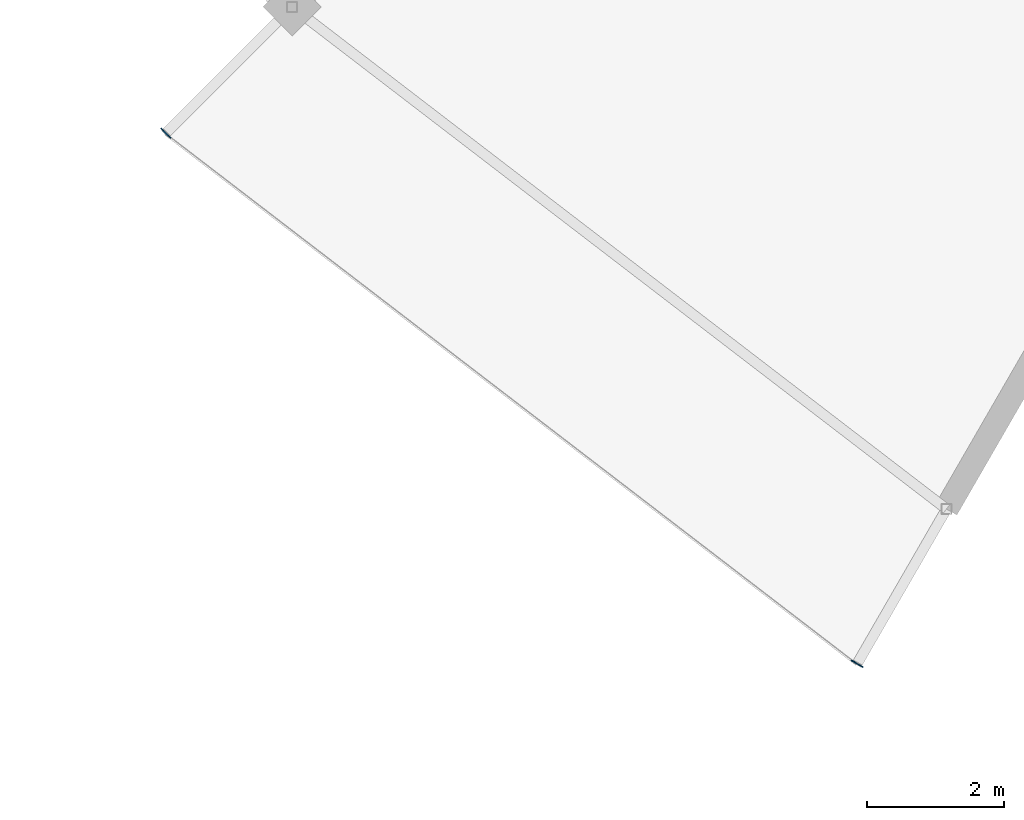
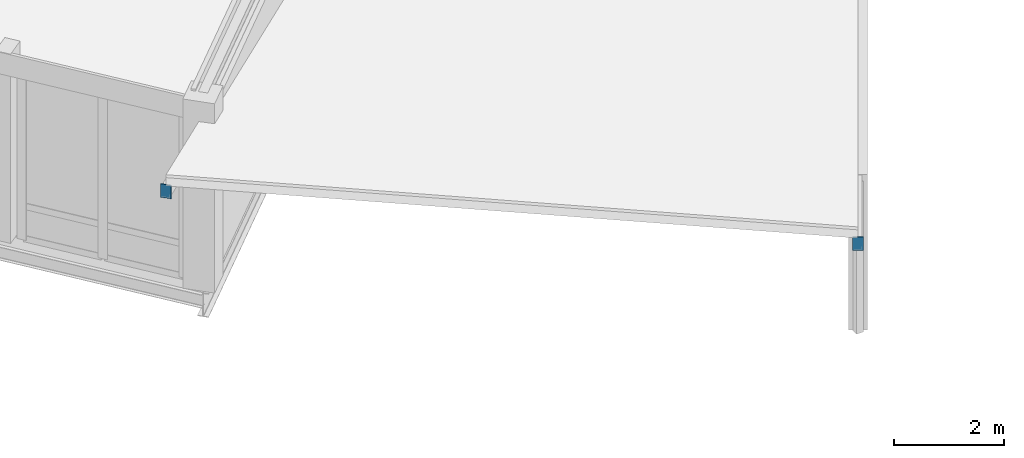
# One storey, part 150 of 200: 2 plates.
"""IFC4 building model written with IfcOpenShell, lengths in metres."""

from ifc_helpers import new_model, si_unit, direction, frame, origin, origin_2d, place, context, subcontext, project, spatial, rectangle, extrude, material, layer, layer_set, type_object, element, save


model = new_model("IFC4")

# Units and contexts
model_context = context("Model", 3, precision=1e-05, world=origin(), true_north=direction((0.0, 1.0)))
body_context = subcontext(model_context, "Body", "Model", "MODEL_VIEW")
ifc_project = project(units=[si_unit("LENGTHUNIT", "METRE"), si_unit("AREAUNIT", "SQUARE_METRE"), si_unit("VOLUMEUNIT", "CUBIC_METRE"), si_unit("PLANEANGLEUNIT", "RADIAN"), si_unit("MASSUNIT", "GRAM", prefix="KILO")], contexts=[model_context])

# Site, building, storey
site_placement = place(None, origin())
site = spatial("IfcSite", under=ifc_project, at=site_placement, CompositionType="ELEMENT")
building_placement = place(site_placement, origin())
building = spatial("IfcBuilding", under=site, at=building_placement, Name="Vondelvale Polytechnic", CompositionType="ELEMENT")
storey_placement = place(building_placement, frame((0.0, 0.0, 13.800048828125)))
storey = spatial("IfcBuildingStorey", under=building, at=storey_placement, Name="L03", CompositionType="ELEMENT", Elevation=13.800048828125)

# Plates
ifc_material = material(Name="Steel Grade 350 (fy = 340 MPa)", Category="steel")
ifc_layer = layer(ifc_material, 0.01611328125)
ifc_layer_set = layer_set([ifc_layer], Name="PLATE-CAP-300x200")
plate_type = type_object("IfcPlateType", Name="PLATE-CAP-300x200", PredefinedType="USERDEFINED", material=ifc_layer_set)
for number, where, z_axis, x_axis, name in (
    (1, (67.634521484375, 37.634521484375, 3.61572265625), (0.0, 0.0, 1.0), (0.707106781187, 0.707106781187, 0.0), "Ring rafter hollow end cap plate 15O"),
    (2, (77.699951171875, 29.9111328125, 3.61572265625), (0.0, 0.0, 1.0), (0.5, 0.866025403784, 0.0), "Ring step rafter end cap plate 15O"),
):
    element("IfcPlate", number, at=place(storey_placement, frame(where, z_axis=z_axis, x_axis=x_axis)), inside=storey, type_object=plate_type, Name=name, ObjectType="CAP_PLATE", PredefinedType="USERDEFINED", context=body_context, shape_type="SweptSolid", body=[
        extrude(rectangle(XDim=0.01611328125, YDim=0.199951171875, at=origin_2d()), origin(), (0.0, 0.0, 1.0), 0.300048828125),
    ])

save(model, "model.ifc")
